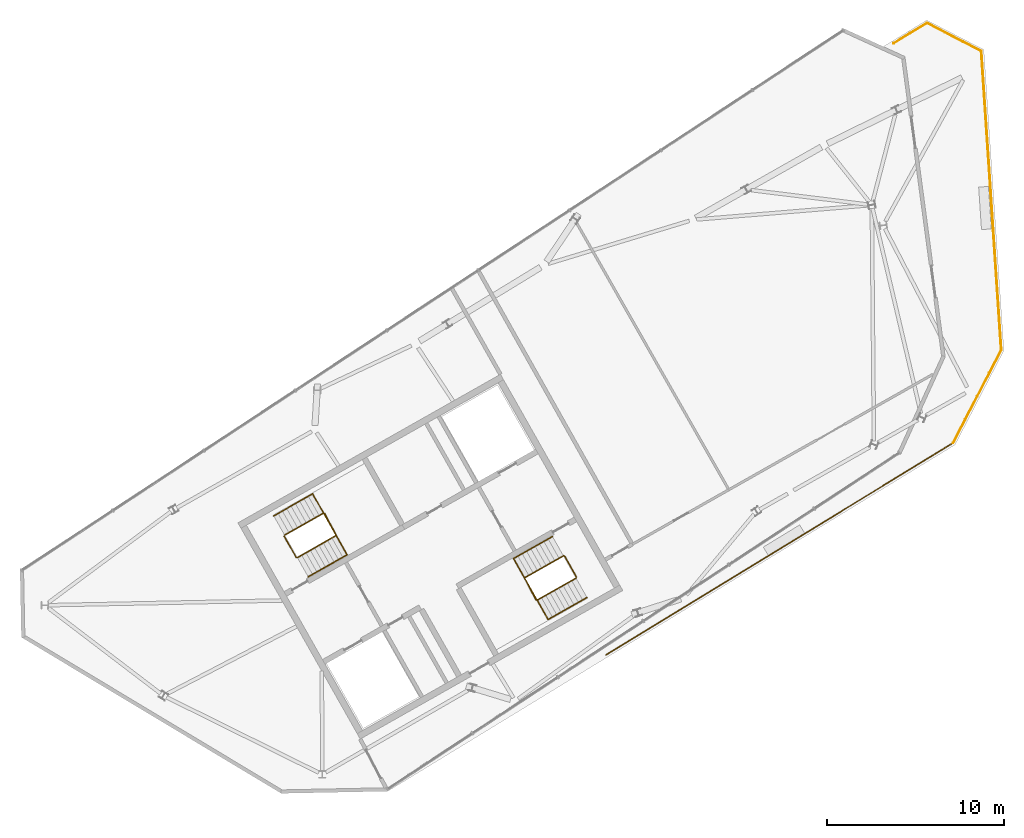
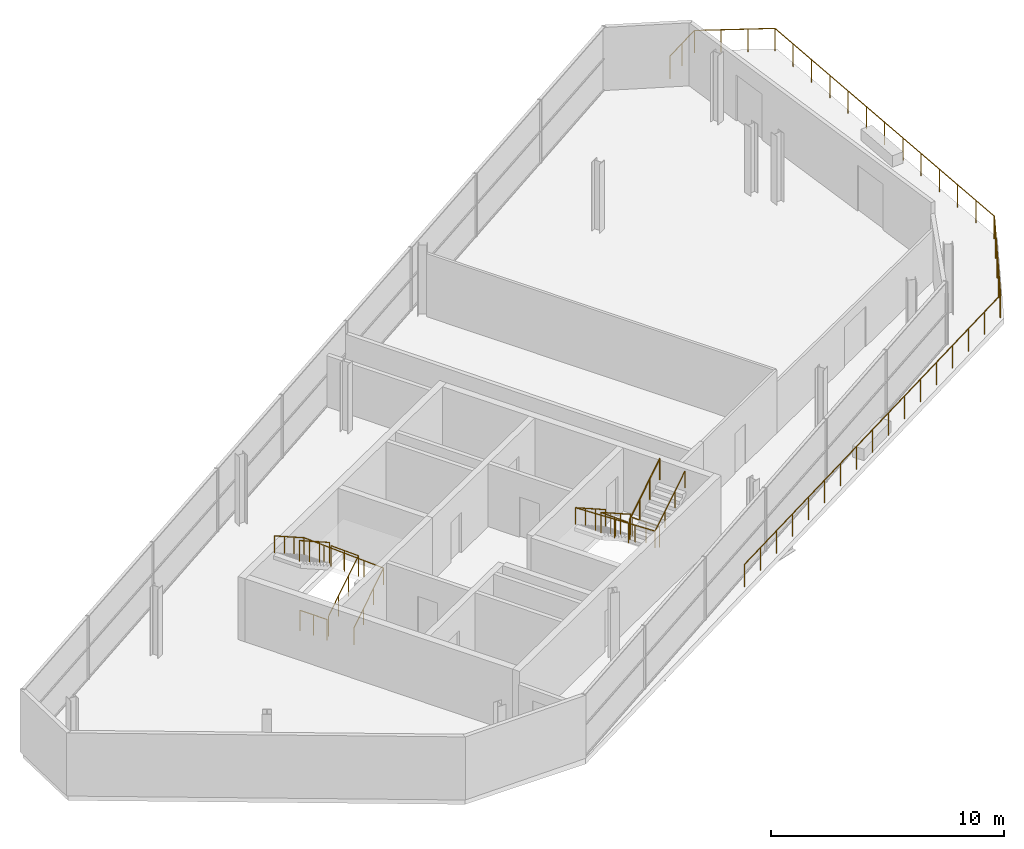
# One storey, part 9 of 10: 12 railings.
"""IFC4 building model written with IfcOpenShell, lengths in metres."""

import ifcopenshell
import ifcopenshell.guid

model = None  # the IFC model being written
_history = None  # IfcOwnerHistory: only IFC2X3 demands one
_inside = {}  # id of a spatial element -> (the spatial element, [elements in it])
_under = {}  # id of a project, library or spatial element -> (it, [spatial elements below it])
_declared = {}  # id of a project -> (the project, [libraries it declares])
_typed = {}  # id of a type object -> (the type object, [elements of that type])
_made_of = {}  # id of a material, layer set ... -> (it, [elements and type objects made of it])


def new_model(schema):
    """Start an empty IFC model of exactly this schema.

    Asked for "IFC4X3", IfcOpenShell would pick the latest addendum, in which some entities
    have other attributes; the version numbers below select the first issue.
    IFC2X3 requires an IfcOwnerHistory on every rooted entity: one is made here for all.
    """
    global model, _history
    if schema == "IFC4X3":
        model = ifcopenshell.file(schema_version=(4, 3, 0, 0))
    else:
        model = ifcopenshell.file(schema=schema)
    _inside.clear()
    _under.clear()
    _declared.clear()
    _typed.clear()
    _made_of.clear()
    _history = None
    if model.schema == "IFC2X3":
        org = make("IfcOrganization", Name="unknown")
        user = make(
            "IfcPersonAndOrganization",
            ThePerson=make("IfcPerson", FamilyName="unknown"),
            TheOrganization=org,
        )
        app = make(
            "IfcApplication",
            ApplicationDeveloper=org,
            Version="unknown",
            ApplicationFullName="unknown",
            ApplicationIdentifier="unknown",
        )
        _history = make(
            "IfcOwnerHistory",
            OwningUser=user,
            OwningApplication=app,
            ChangeAction="ADDED",
            CreationDate=0,
        )
    return model


def make(cls, **values):
    """One entity of the class cls with the attributes given. An attribute that is None is left unset."""
    return model.create_entity(
        cls, **{name: value for name, value in values.items() if value is not None}
    )


def rooted(cls, **values):
    """An entity with a GlobalId (a new one), such as an element, a storey or a relation."""
    return make(cls, GlobalId=ifcopenshell.guid.new(), OwnerHistory=_history, **values)


def si_unit(unit_type, name, prefix=None):
    """IfcSIUnit, for example si_unit("LENGTHUNIT", "METRE", prefix="MILLI")."""
    return make("IfcSIUnit", UnitType=unit_type, Prefix=prefix, Name=name)


def assignment(units):
    """IfcUnitAssignment: the units of a project."""
    return None if units is None else make("IfcUnitAssignment", Units=units)


def point(xyz):
    """IfcCartesianPoint."""
    return None if xyz is None else make("IfcCartesianPoint", Coordinates=xyz)


def direction(xyz):
    """IfcDirection."""
    return None if xyz is None else make("IfcDirection", DirectionRatios=xyz)


def frame(location, z_axis=None, x_axis=None):
    """IfcAxis2Placement3D, a coordinate frame: its origin and axes. An axis left out is left unset."""
    return make(
        "IfcAxis2Placement3D",
        Location=point(location),
        Axis=direction(z_axis),
        RefDirection=direction(x_axis),
    )


def frame_2d(location, x_axis=None):
    """IfcAxis2Placement2D, a coordinate frame in the plane: its origin and x axis."""
    return make(
        "IfcAxis2Placement2D", Location=point(location), RefDirection=direction(x_axis)
    )


def origin():
    """The frame at (0, 0, 0) with its axes left unset."""
    return frame((0.0, 0.0, 0.0))


def origin_2d():
    """The frame at (0, 0) in the plane with its x axis left unset."""
    return frame_2d((0.0, 0.0))


def place(relative_to, where):
    """IfcLocalPlacement: puts the frame where relative to a parent placement (None: the world)."""
    return make(
        "IfcLocalPlacement", PlacementRelTo=relative_to, RelativePlacement=where
    )


def context(
    kind, dimensions, precision=None, world=None, true_north=None, identifier=None
):
    """IfcGeometricRepresentationContext, for example the 3D "Model" context."""
    return make(
        "IfcGeometricRepresentationContext",
        ContextIdentifier=identifier,
        ContextType=kind,
        CoordinateSpaceDimension=dimensions,
        Precision=precision,
        WorldCoordinateSystem=world,
        TrueNorth=true_north,
    )


def subcontext(parent, identifier, kind, view, scale=None):
    """IfcGeometricRepresentationSubContext, for example "Body" below "Model"."""
    return make(
        "IfcGeometricRepresentationSubContext",
        ContextIdentifier=identifier,
        ContextType=kind,
        ParentContext=parent,
        TargetScale=scale,
        TargetView=view,
    )


def project(units=None, contexts=None):
    """IfcProject with its units and contexts."""
    return rooted(
        "IfcProject",
        Name="project",
        RepresentationContexts=contexts,
        UnitsInContext=assignment(units),
    )


def spatial(cls, under=None, at=None, **own):
    """A site, building, storey or space (cls), placed at a placement, below another one or the project."""
    s = rooted(cls, ObjectPlacement=at, **own)
    if under is not None:
        _under.setdefault(under.id(), (under, []))[1].append(s)
    return s


def profile(cls, at=None, kind="AREA", **sizes):
    """A parametric profile (cls). Its sizes go by their IFC names, for example OverallWidth=200.0."""
    return make(cls, ProfileType=kind, Position=at, **sizes)


def circle(**sizes):
    """IfcCircleProfileDef."""
    return profile("IfcCircleProfileDef", **sizes)


def extrude(swept, where, along, depth):
    """IfcExtrudedAreaSolid: the profile swept, set in the frame where, extruded along a direction by depth."""
    return make(
        "IfcExtrudedAreaSolid",
        SweptArea=swept,
        Position=where,
        ExtrudedDirection=direction(along),
        Depth=depth,
    )


def shape(context_of_items, identifier, shape_type, items):
    """IfcShapeRepresentation: the items that make up one representation, for example the "Body"."""
    return make(
        "IfcShapeRepresentation",
        ContextOfItems=context_of_items,
        RepresentationIdentifier=identifier,
        RepresentationType=shape_type,
        Items=items,
    )


def material(Name=None, Category=None):
    """IfcMaterial."""
    return make("IfcMaterial", Name=Name, Category=Category)


def made_of(thing, what):
    """Note that an element or type object is made of a material, layer set ...; save() writes the relation."""
    if what is not None:
        _made_of.setdefault(what.id(), (what, []))[1].append(thing)
    return thing


def type_object(cls, material=None, **own):
    """A type object (cls), such as IfcWallType, which elements share."""
    return made_of(rooted(cls, **own), material)


def element(
    cls,
    number,
    at=None,
    inside=None,
    cuts=None,
    type_object=None,
    material=None,
    context=None,
    identifier="Body",
    shape_type=None,
    held_by="IfcProductDefinitionShape",
    body=None,
    shapes=None,
    **own,
):
    """One element of the class cls, such as IfcWall. Its Tag is "e" and its number.

    at: its placement. inside: the storey or other place that contains it. cuts: it is an
    opening in that element (IfcRelVoidsElement). A single representation is given by context,
    identifier, shape_type and body (its items); several are given by shapes. held_by: the class
    of the entity that holds the representations. save() writes the other relations.
    """
    e = rooted(cls, Tag="e%d" % number, ObjectPlacement=at, **own)
    if body is not None:
        shapes = [shape(context, identifier, shape_type, body)]
    if shapes is not None:
        e.Representation = make(held_by, Representations=shapes)
    if inside is not None:
        _inside.setdefault(inside.id(), (inside, []))[1].append(e)
    if cuts is not None:
        rooted(
            "IfcRelVoidsElement", RelatingBuildingElement=cuts, RelatedOpeningElement=e
        )
    if type_object is not None:
        _typed.setdefault(type_object.id(), (type_object, []))[1].append(e)
    return made_of(e, material)


def aggregate(whole, parts):
    """IfcRelAggregates: a whole, such as a stair, and the parts it consists of."""
    return rooted("IfcRelAggregates", RelatingObject=whole, RelatedObjects=parts)


def save(model, path):
    """Write the relations noted so far, then the file.

    IfcRelAggregates (storeys below a building ...), IfcRelContainedInSpatialStructure (elements
    in a storey), IfcRelDefinesByType, IfcRelAssociatesMaterial and IfcRelDeclares: one each for
    every whole, place, type object, material and project.
    """
    for whole, parts in _under.values():
        aggregate(whole, parts)
    for where, things in _inside.values():
        rooted(
            "IfcRelContainedInSpatialStructure",
            RelatedElements=things,
            RelatingStructure=where,
        )
    for kind, things in _typed.values():
        rooted("IfcRelDefinesByType", RelatedObjects=things, RelatingType=kind)
    for what, things in _made_of.values():
        rooted("IfcRelAssociatesMaterial", RelatedObjects=things, RelatingMaterial=what)
    for by, libraries in _declared.values():
        rooted("IfcRelDeclares", RelatingContext=by, RelatedDefinitions=libraries)
    model.write(path)


model = new_model("IFC4")

# Units and contexts
model_context = context("Model", 3, precision=1e-05, world=origin(), true_north=direction((0.0, 1.0)))
body_context = subcontext(model_context, "Body", "Model", "MODEL_VIEW")
ifc_project = project(units=[si_unit("LENGTHUNIT", "METRE"), si_unit("AREAUNIT", "SQUARE_METRE"), si_unit("VOLUMEUNIT", "CUBIC_METRE"), si_unit("PLANEANGLEUNIT", "RADIAN"), si_unit("MASSUNIT", "GRAM", prefix="KILO")], contexts=[model_context])

# Site, building, storey
site_placement = place(None, origin())
site = spatial("IfcSite", under=ifc_project, at=site_placement, CompositionType="ELEMENT")
building_placement = place(site_placement, origin())
building = spatial("IfcBuilding", under=site, at=building_placement, Name="Binnacle Exchange Tower", CompositionType="ELEMENT")
storey_placement = place(building_placement, frame((0.0, 0.0, 354.10009765625)))
storey = spatial("IfcBuildingStorey", under=building, at=storey_placement, Name="L81", CompositionType="ELEMENT", Elevation=354.10009765625)

# Railings
ifc_material_1 = material(Name="Bronze anodised aluminium frame", Category="aluminium")
railing_type_1 = type_object("IfcRailingType", Name="GUARD 1200", PredefinedType="GUARDRAIL", material=ifc_material_1)
railing_1_placement = place(storey_placement, frame((-25.857421875, 34.232177734375, 0.0)))
element("IfcRailing", 1, at=railing_1_placement, inside=storey, type_object=railing_type_1, Name="Terrace guard 1 Terrace C2", PredefinedType="GUARDRAIL", context=body_context, shape_type="SweptSolid", body=[
    extrude(circle(Radius=0.02392578125, at=origin_2d()), frame((0.0, 0.0, 1.17578125), z_axis=(0.853461642811, 0.521155662206, 0.0), x_axis=(-0.521155662206, 0.853461642811, 0.0)), (0.0, 0.0, 1.0), 22.9169921875),
    extrude(circle(Radius=0.02099609375, at=origin_2d()), origin(), (0.0, 0.0, 1.0), 1.15185546875),
    extrude(circle(Radius=0.02099609375, at=origin_2d()), frame((1.222412109375, 0.74658203125, 0.0)), (0.0, 0.0, 1.0), 1.15185546875),
    extrude(circle(Radius=0.02099609375, at=origin_2d()), frame((2.44482421875, 1.492919921875, 0.0)), (0.0, 0.0, 1.0), 1.15185546875),
    extrude(circle(Radius=0.02099609375, at=origin_2d()), frame((3.667236328125, 2.2392578125, 0.0)), (0.0, 0.0, 1.0), 1.15185546875),
    extrude(circle(Radius=0.02099609375, at=origin_2d()), frame((4.8896484375, 2.98583984375, 0.0)), (0.0, 0.0, 1.0), 1.15185546875),
    extrude(circle(Radius=0.02099609375, at=origin_2d()), frame((6.112060546875, 3.732421875, 0.0)), (0.0, 0.0, 1.0), 1.15185546875),
    extrude(circle(Radius=0.02099609375, at=origin_2d()), frame((7.33447265625, 4.478759765625, 0.0)), (0.0, 0.0, 1.0), 1.15185546875),
    extrude(circle(Radius=0.02099609375, at=origin_2d()), frame((8.556884765625, 5.22509765625, 0.0)), (0.0, 0.0, 1.0), 1.15185546875),
    extrude(circle(Radius=0.02099609375, at=origin_2d()), frame((9.779296875, 5.9716796875, 0.0)), (0.0, 0.0, 1.0), 1.15185546875),
    extrude(circle(Radius=0.02099609375, at=origin_2d()), frame((11.001953125, 6.71826171875, 0.0)), (0.0, 0.0, 1.0), 1.15185546875),
    extrude(circle(Radius=0.02099609375, at=origin_2d()), frame((12.224365234375, 7.464599609375, 0.0)), (0.0, 0.0, 1.0), 1.15185546875),
    extrude(circle(Radius=0.02099609375, at=origin_2d()), frame((13.44677734375, 8.2109375, 0.0)), (0.0, 0.0, 1.0), 1.15185546875),
    extrude(circle(Radius=0.02099609375, at=origin_2d()), frame((14.669189453125, 8.95751953125, 0.0)), (0.0, 0.0, 1.0), 1.15185546875),
    extrude(circle(Radius=0.02099609375, at=origin_2d()), frame((15.8916015625, 9.7041015625, 0.0)), (0.0, 0.0, 1.0), 1.15185546875),
    extrude(circle(Radius=0.02099609375, at=origin_2d()), frame((17.114013671875, 10.450439453125, 0.0)), (0.0, 0.0, 1.0), 1.15185546875),
    extrude(circle(Radius=0.02099609375, at=origin_2d()), frame((18.33642578125, 11.19677734375, 0.0)), (0.0, 0.0, 1.0), 1.15185546875),
    extrude(circle(Radius=0.02099609375, at=origin_2d()), frame((19.558837890625, 11.943359375, 0.0)), (0.0, 0.0, 1.0), 1.15185546875),
])
railing_2_placement = place(storey_placement, frame((-6.298583984375, 46.175537109375, 0.0)))
element("IfcRailing", 2, at=railing_2_placement, inside=storey, type_object=railing_type_1, Name="Terrace guard 2 Terrace C2", PredefinedType="GUARDRAIL", context=body_context, shape_type="SweptSolid", body=[
    extrude(circle(Radius=0.02392578125, at=origin_2d()), frame((0.0, 0.0, 1.17578125), z_axis=(0.459954986798, 0.887942233549, 0.0), x_axis=(-0.887942233549, 0.459954986798, 0.0)), (0.0, 0.0, 1.0), 5.903564453125),
    extrude(circle(Radius=0.02099609375, at=origin_2d()), origin(), (0.0, 0.0, 1.0), 1.15185546875),
    extrude(circle(Radius=0.02099609375, at=origin_2d()), frame((0.6787109375, 1.310546875, 0.0)), (0.0, 0.0, 1.0), 1.15185546875),
    extrude(circle(Radius=0.02099609375, at=origin_2d()), frame((1.357666015625, 2.62109375, 0.0)), (0.0, 0.0, 1.0), 1.15185546875),
    extrude(circle(Radius=0.02099609375, at=origin_2d()), frame((2.03662109375, 3.931396484375, 0.0)), (0.0, 0.0, 1.0), 1.15185546875),
    extrude(circle(Radius=0.02099609375, at=origin_2d()), frame((2.71533203125, 5.241943359375, 0.0)), (0.0, 0.0, 1.0), 1.15185546875),
])
railing_3_placement = place(storey_placement, frame((-3.583251953125, 51.41748046875, 0.0)))
element("IfcRailing", 3, at=railing_3_placement, inside=storey, type_object=railing_type_1, Name="Terrace guard 3 Terrace C2", PredefinedType="GUARDRAIL", context=body_context, shape_type="SweptSolid", body=[
    extrude(circle(Radius=0.02392578125, at=origin_2d()), frame((0.0, 0.0, 1.17578125), z_axis=(-0.066615043066, 0.997778751045, 0.0), x_axis=(-0.997778751045, -0.066615043066, 0.0)), (0.0, 0.0, 1.0), 16.87353515625),
    extrude(circle(Radius=0.02099609375, at=origin_2d()), origin(), (0.0, 0.0, 1.0), 1.15185546875),
    extrude(circle(Radius=0.02099609375, at=origin_2d()), frame((-0.09375, 1.403076171875, 0.0)), (0.0, 0.0, 1.0), 1.15185546875),
    extrude(circle(Radius=0.02099609375, at=origin_2d()), frame((-0.187255859375, 2.805908203125, 0.0)), (0.0, 0.0, 1.0), 1.15185546875),
    extrude(circle(Radius=0.02099609375, at=origin_2d()), frame((-0.281005859375, 4.208984375, 0.0)), (0.0, 0.0, 1.0), 1.15185546875),
    extrude(circle(Radius=0.02099609375, at=origin_2d()), frame((-0.374755859375, 5.612060546875, 0.0)), (0.0, 0.0, 1.0), 1.15185546875),
    extrude(circle(Radius=0.02099609375, at=origin_2d()), frame((-0.46826171875, 7.014892578125, 0.0)), (0.0, 0.0, 1.0), 1.15185546875),
    extrude(circle(Radius=0.02099609375, at=origin_2d()), frame((-0.56201171875, 8.41796875, 0.0)), (0.0, 0.0, 1.0), 1.15185546875),
    extrude(circle(Radius=0.02099609375, at=origin_2d()), frame((-0.65576171875, 9.821044921875, 0.0)), (0.0, 0.0, 1.0), 1.15185546875),
    extrude(circle(Radius=0.02099609375, at=origin_2d()), frame((-0.749267578125, 11.223876953125, 0.0)), (0.0, 0.0, 1.0), 1.15185546875),
    extrude(circle(Radius=0.02099609375, at=origin_2d()), frame((-0.843017578125, 12.626953125, 0.0)), (0.0, 0.0, 1.0), 1.15185546875),
    extrude(circle(Radius=0.02099609375, at=origin_2d()), frame((-0.936767578125, 14.030029296875, 0.0)), (0.0, 0.0, 1.0), 1.15185546875),
    extrude(circle(Radius=0.02099609375, at=origin_2d()), frame((-1.0302734375, 15.432861328125, 0.0)), (0.0, 0.0, 1.0), 1.15185546875),
    extrude(circle(Radius=0.02099609375, at=origin_2d()), frame((-1.1240234375, 16.8359375, 0.0)), (0.0, 0.0, 1.0), 1.15185546875),
])
railing_4_placement = place(storey_placement, frame((-4.707275390625, 68.25341796875, 0.0)))
element("IfcRailing", 4, at=railing_4_placement, inside=storey, type_object=railing_type_1, Name="Terrace guard 4 Terrace C2", PredefinedType="GUARDRAIL", context=body_context, shape_type="SweptSolid", body=[
    extrude(circle(Radius=0.02392578125, at=origin_2d()), frame((0.0, 0.0, 1.17578125), z_axis=(-0.887924380167, 0.45998945108, 0.0), x_axis=(-0.45998945108, -0.887924380167, 0.0)), (0.0, 0.0, 1.0), 3.457763671875),
    extrude(circle(Radius=0.02392578125, at=origin_2d()), frame((-3.0703125, 1.590576171875, 1.17578125), z_axis=(-0.853447382873, -0.521179014031, 0.0), x_axis=(0.521179014031, -0.853447382873, 0.0)), (0.0, 0.0, 1.0), 2.186767578125),
    extrude(circle(Radius=0.02099609375, at=origin_2d()), origin(), (0.0, 0.0, 1.0), 1.15185546875),
    extrude(circle(Radius=0.02099609375, at=origin_2d()), frame((-1.0234375, 0.5302734375, 0.0)), (0.0, 0.0, 1.0), 1.15185546875),
    extrude(circle(Radius=0.02099609375, at=origin_2d()), frame((-2.046875, 1.060302734375, 0.0)), (0.0, 0.0, 1.0), 1.15185546875),
    extrude(circle(Radius=0.02099609375, at=origin_2d()), frame((-3.0703125, 1.590576171875, 0.0)), (0.0, 0.0, 1.0), 1.15185546875),
    extrude(circle(Radius=0.02099609375, at=origin_2d()), frame((-4.00341796875, 1.020751953125, 0.0)), (0.0, 0.0, 1.0), 1.15185546875),
    extrude(circle(Radius=0.02099609375, at=origin_2d()), frame((-4.9365234375, 0.450927734375, 0.0)), (0.0, 0.0, 1.0), 1.15185546875),
])
ifc_material_2 = material(Name="Steel guard rail", Category="steel")
railing_type_2 = type_object("IfcRailingType", Name="STAIR GUARD 1100", PredefinedType="GUARDRAIL", material=ifc_material_2)
railing_5_placement = place(storey_placement, frame((-43.26171875, 39.71728515625, 0.179931640625)))
element("IfcRailing", 5, at=railing_5_placement, inside=storey, type_object=railing_type_2, Name="L81 STA1 stair guard 1", PredefinedType="GUARDRAIL", context=body_context, shape_type="SweptSolid", body=[
    extrude(circle(Radius=0.02392578125, at=origin_2d()), frame((0.0, 0.0, 1.076171875), z_axis=(0.73214499886, 0.414235644391, 0.540714833864), x_axis=(-0.492430705092, 0.870351653461, 0.0)), (0.0, 0.0, 1.0), 2.995849609375),
    extrude(circle(Radius=0.02392578125, at=origin_2d()), frame((2.193359375, 1.240966796875, 2.69580078125), z_axis=(-0.461100321709, 0.887348011391, 0.0), x_axis=(-0.887348011391, -0.461100321709, 0.0)), (0.0, 0.0, 1.0), 1.40087890625),
    extrude(circle(Radius=0.02099609375, at=origin_2d()), origin(), (0.0, 0.0, 1.0), 1.052001953125),
    extrude(circle(Radius=0.02099609375, at=origin_2d()), frame((0.731201171875, 0.41357421875, 0.5400390625)), (0.0, 0.0, 1.0), 1.052001953125),
    extrude(circle(Radius=0.02099609375, at=origin_2d()), frame((1.462158203125, 0.827392578125, 1.079833984375)), (0.0, 0.0, 1.0), 1.052001953125),
    extrude(circle(Radius=0.02099609375, at=origin_2d()), frame((2.193359375, 1.240966796875, 1.619873046875)), (0.0, 0.0, 1.0), 1.052001953125),
    extrude(circle(Radius=0.02099609375, at=origin_2d()), frame((1.870361328125, 1.862548828125, 1.619873046875)), (0.0, 0.0, 1.0), 1.052001953125),
    extrude(circle(Radius=0.02099609375, at=origin_2d()), frame((1.54736328125, 2.484130859375, 1.619873046875)), (0.0, 0.0, 1.0), 1.052001953125),
])
railing_6_placement = place(storey_placement, frame((-41.782470703125, 42.22021484375, 1.97998046875)))
element("IfcRailing", 6, at=railing_6_placement, inside=storey, type_object=railing_type_2, Name="L81 STA1 stair guard 2", PredefinedType="GUARDRAIL", context=body_context, shape_type="SweptSolid", body=[
    extrude(circle(Radius=0.02392578125, at=origin_2d()), frame((0.0, 0.0, 1.076171875), z_axis=(-0.73214499886, -0.414235644391, 0.540714833864), x_axis=(0.492430705092, -0.870351653461, 0.0)), (0.0, 0.0, 1.0), 2.995849609375),
    extrude(circle(Radius=0.02099609375, at=origin_2d()), origin(), (0.0, 0.0, 1.0), 1.052001953125),
    extrude(circle(Radius=0.02099609375, at=origin_2d()), frame((-0.731201171875, -0.41357421875, 0.5400390625)), (0.0, 0.0, 1.0), 1.052001953125),
    extrude(circle(Radius=0.02099609375, at=origin_2d()), frame((-1.462158203125, -0.827392578125, 1.079833984375)), (0.0, 0.0, 1.0), 1.052001953125),
    extrude(circle(Radius=0.02099609375, at=origin_2d()), frame((-2.193359375, -1.240966796875, 1.619873046875)), (0.0, 0.0, 1.0), 1.052001953125),
])
railing_7_placement = place(storey_placement, frame((-43.329833984375, 39.736328125, 0.0)))
element("IfcRailing", 7, at=railing_7_placement, inside=storey, type_object=railing_type_2, Name="L81 STA1 stair guard 3", PredefinedType="GUARDRAIL", context=body_context, shape_type="SweptSolid", body=[
    extrude(circle(Radius=0.02392578125, at=origin_2d()), frame((0.0, 0.0, 1.076171875), z_axis=(-0.4924922531, 0.870316827734, 0.0), x_axis=(-0.870316827734, -0.4924922531, 0.0)), (0.0, 0.0, 1.0), 1.349853515625),
    extrude(circle(Radius=0.02099609375, at=origin_2d()), origin(), (0.0, 0.0, 1.0), 1.052001953125),
    extrude(circle(Radius=0.02099609375, at=origin_2d()), frame((-0.33251953125, 0.58740234375, 0.0)), (0.0, 0.0, 1.0), 1.052001953125),
    extrude(circle(Radius=0.02099609375, at=origin_2d()), frame((-0.664794921875, 1.1748046875, 0.0)), (0.0, 0.0, 1.0), 1.052001953125),
])
railing_8_placement = place(storey_placement, frame((-28.265380859375, 39.814453125, 0.179931640625)))
element("IfcRailing", 8, at=railing_8_placement, inside=storey, type_object=railing_type_2, Name="L81 STA2 stair guard 1", PredefinedType="GUARDRAIL", context=body_context, shape_type="SweptSolid", body=[
    extrude(circle(Radius=0.02392578125, at=origin_2d()), frame((0.0, 0.0, 1.076171875), z_axis=(-0.73214499886, -0.414235644391, 0.540714833864), x_axis=(0.492430705092, -0.870351653461, 0.0)), (0.0, 0.0, 1.0), 2.995849609375),
    extrude(circle(Radius=0.02392578125, at=origin_2d()), frame((-2.193359375, -1.240966796875, 2.69580078125), z_axis=(0.461100321709, -0.887348011391, 0.0), x_axis=(0.887348011391, 0.461100321709, 0.0)), (0.0, 0.0, 1.0), 1.40087890625),
    extrude(circle(Radius=0.02099609375, at=origin_2d()), origin(), (0.0, 0.0, 1.0), 1.052001953125),
    extrude(circle(Radius=0.02099609375, at=origin_2d()), frame((-0.731201171875, -0.41357421875, 0.5400390625)), (0.0, 0.0, 1.0), 1.052001953125),
    extrude(circle(Radius=0.02099609375, at=origin_2d()), frame((-1.462158203125, -0.827392578125, 1.079833984375)), (0.0, 0.0, 1.0), 1.052001953125),
    extrude(circle(Radius=0.02099609375, at=origin_2d()), frame((-2.193359375, -1.240966796875, 1.619873046875)), (0.0, 0.0, 1.0), 1.052001953125),
    extrude(circle(Radius=0.02099609375, at=origin_2d()), frame((-1.870361328125, -1.862548828125, 1.619873046875)), (0.0, 0.0, 1.0), 1.052001953125),
    extrude(circle(Radius=0.02099609375, at=origin_2d()), frame((-1.54736328125, -2.484130859375, 1.619873046875)), (0.0, 0.0, 1.0), 1.052001953125),
])
railing_9_placement = place(storey_placement, frame((-29.74462890625, 37.3115234375, 1.97998046875)))
element("IfcRailing", 9, at=railing_9_placement, inside=storey, type_object=railing_type_2, Name="L81 STA2 stair guard 2", PredefinedType="GUARDRAIL", context=body_context, shape_type="SweptSolid", body=[
    extrude(circle(Radius=0.02392578125, at=origin_2d()), frame((0.0, 0.0, 1.076171875), z_axis=(0.732107185068, 0.414260360871, 0.540747097064), x_axis=(-0.492472228755, 0.870328158746, 0.0)), (0.0, 0.0, 1.0), 2.99560546875),
    extrude(circle(Radius=0.02099609375, at=origin_2d()), origin(), (0.0, 0.0, 1.0), 1.052001953125),
    extrude(circle(Radius=0.02099609375, at=origin_2d()), frame((0.73095703125, 0.41357421875, 0.5400390625)), (0.0, 0.0, 1.0), 1.052001953125),
    extrude(circle(Radius=0.02099609375, at=origin_2d()), frame((1.462158203125, 0.827392578125, 1.079833984375)), (0.0, 0.0, 1.0), 1.052001953125),
    extrude(circle(Radius=0.02099609375, at=origin_2d()), frame((2.193115234375, 1.240966796875, 1.619873046875)), (0.0, 0.0, 1.0), 1.052001953125),
])
railing_10_placement = place(storey_placement, frame((-28.197265625, 39.795654296875, 0.0)))
element("IfcRailing", 10, at=railing_10_placement, inside=storey, type_object=railing_type_2, Name="L81 STA2 stair guard 3", PredefinedType="GUARDRAIL", context=body_context, shape_type="SweptSolid", body=[
    extrude(circle(Radius=0.02392578125, at=origin_2d()), frame((0.0, 0.0, 1.076171875), z_axis=(0.49241474071, -0.870360685654, 0.0), x_axis=(0.870360685654, 0.49241474071, 0.0)), (0.0, 0.0, 1.0), 1.35009765625),
    extrude(circle(Radius=0.02099609375, at=origin_2d()), origin(), (0.0, 0.0, 1.0), 1.052001953125),
    extrude(circle(Radius=0.02099609375, at=origin_2d()), frame((0.33251953125, -0.58740234375, 0.0)), (0.0, 0.0, 1.0), 1.052001953125),
    extrude(circle(Radius=0.02099609375, at=origin_2d()), frame((0.664794921875, -1.175048828125, 0.0)), (0.0, 0.0, 1.0), 1.052001953125),
])
ifc_material_3 = material(Name="Steel handrail", Category="steel")
railing_type_3 = type_object("IfcRailingType", Name="STAIR HANDRAIL 900", PredefinedType="HANDRAIL", material=ifc_material_3)
railing_11_placement = place(storey_placement, frame((-42.646240234375, 38.62939453125, 0.179931640625)))
element("IfcRailing", 11, at=railing_11_placement, inside=storey, type_object=railing_type_3, Name="L81 STA1 stair handrail 1", PredefinedType="HANDRAIL", context=body_context, shape_type="SweptSolid", body=[
    extrude(circle(Radius=0.02392578125, at=origin_2d()), frame((0.0, 0.0, 0.8759765625), z_axis=(0.73214499886, 0.414235644391, 0.540714833864), x_axis=(-0.492430705092, 0.870351653461, 0.0)), (0.0, 0.0, 1.0), 2.995849609375),
    extrude(circle(Radius=0.02392578125, at=origin_2d()), frame((2.193359375, 1.240966796875, 2.49560546875), z_axis=(-0.49192857611, 0.869442234243, 0.045568380717), x_axis=(-0.87034633103, -0.492440112159, 0.0)), (0.0, 0.0, 1.0), 3.953857421875),
    extrude(circle(Radius=0.02392578125, at=origin_2d()), frame((0.248291015625, 4.6787109375, 2.67578125), z_axis=(-0.732169713324, -0.414168130355, 0.540733086365), x_axis=(0.492357313618, -0.87039317307, 0.0)), (0.0, 0.0, 1.0), 2.99560546875),
    extrude(circle(Radius=0.02099609375, at=origin_2d()), origin(), (0.0, 0.0, 1.0), 0.851806640625),
    extrude(circle(Radius=0.02099609375, at=origin_2d()), frame((0.731201171875, 0.41357421875, 0.5400390625)), (0.0, 0.0, 1.0), 0.851806640625),
    extrude(circle(Radius=0.02099609375, at=origin_2d()), frame((1.462158203125, 0.827392578125, 1.079833984375)), (0.0, 0.0, 1.0), 0.851806640625),
    extrude(circle(Radius=0.02099609375, at=origin_2d()), frame((2.193359375, 1.240966796875, 1.619873046875)), (0.0, 0.0, 1.0), 0.851806640625),
    extrude(circle(Radius=0.02099609375, at=origin_2d()), frame((1.70703125, 2.100341796875, 1.6650390625)), (0.0, 0.0, 1.0), 0.851806640625),
    extrude(circle(Radius=0.02099609375, at=origin_2d()), frame((1.220703125, 2.9599609375, 1.7099609375)), (0.0, 0.0, 1.0), 0.851806640625),
    extrude(circle(Radius=0.02099609375, at=origin_2d()), frame((0.734619140625, 3.8193359375, 1.7548828125)), (0.0, 0.0, 1.0), 0.851806640625),
    extrude(circle(Radius=0.02099609375, at=origin_2d()), frame((0.248291015625, 4.6787109375, 1.800048828125)), (0.0, 0.0, 1.0), 0.851806640625),
    extrude(circle(Radius=0.02099609375, at=origin_2d()), frame((-0.48291015625, 4.26513671875, 2.340087890625)), (0.0, 0.0, 1.0), 0.851806640625),
    extrude(circle(Radius=0.02099609375, at=origin_2d()), frame((-1.2138671875, 3.8515625, 2.8798828125)), (0.0, 0.0, 1.0), 0.851806640625),
    extrude(circle(Radius=0.02099609375, at=origin_2d()), frame((-1.945068359375, 3.43798828125, 3.419921875)), (0.0, 0.0, 1.0), 0.851806640625),
])
railing_12_placement = place(storey_placement, frame((-28.880859375, 40.90234375, 0.179931640625)))
element("IfcRailing", 12, at=railing_12_placement, inside=storey, type_object=railing_type_3, Name="L81 STA2 stair handrail 1", PredefinedType="HANDRAIL", context=body_context, shape_type="SweptSolid", body=[
    extrude(circle(Radius=0.02392578125, at=origin_2d()), frame((0.0, 0.0, 0.8759765625), z_axis=(-0.732169713324, -0.414168130355, 0.540733086365), x_axis=(0.492357313618, -0.87039317307, 0.0)), (0.0, 0.0, 1.0), 2.99560546875),
    extrude(circle(Radius=0.02392578125, at=origin_2d()), frame((-2.193359375, -1.24072265625, 2.49560546875), z_axis=(0.491902168417, -0.869457303332, 0.045565934516), x_axis=(0.870361318571, 0.492413622004, 0.0)), (0.0, 0.0, 1.0), 3.9541015625),
    extrude(circle(Radius=0.02392578125, at=origin_2d()), frame((-0.248291015625, -4.6787109375, 2.67578125), z_axis=(0.73214499886, 0.414235644391, 0.540714833864), x_axis=(-0.492430705092, 0.870351653461, 0.0)), (0.0, 0.0, 1.0), 2.995849609375),
    extrude(circle(Radius=0.02099609375, at=origin_2d()), origin(), (0.0, 0.0, 1.0), 0.851806640625),
    extrude(circle(Radius=0.02099609375, at=origin_2d()), frame((-0.731201171875, -0.41357421875, 0.5400390625)), (0.0, 0.0, 1.0), 0.851806640625),
    extrude(circle(Radius=0.02099609375, at=origin_2d()), frame((-1.462158203125, -0.8271484375, 1.079833984375)), (0.0, 0.0, 1.0), 0.851806640625),
    extrude(circle(Radius=0.02099609375, at=origin_2d()), frame((-2.193359375, -1.24072265625, 1.619873046875)), (0.0, 0.0, 1.0), 0.851806640625),
    extrude(circle(Radius=0.02099609375, at=origin_2d()), frame((-1.70703125, -2.10009765625, 1.6650390625)), (0.0, 0.0, 1.0), 0.851806640625),
    extrude(circle(Radius=0.02099609375, at=origin_2d()), frame((-1.220703125, -2.959716796875, 1.7099609375)), (0.0, 0.0, 1.0), 0.851806640625),
    extrude(circle(Radius=0.02099609375, at=origin_2d()), frame((-0.734619140625, -3.8193359375, 1.7548828125)), (0.0, 0.0, 1.0), 0.851806640625),
    extrude(circle(Radius=0.02099609375, at=origin_2d()), frame((-0.248291015625, -4.6787109375, 1.800048828125)), (0.0, 0.0, 1.0), 0.851806640625),
    extrude(circle(Radius=0.02099609375, at=origin_2d()), frame((0.48291015625, -4.26513671875, 2.340087890625)), (0.0, 0.0, 1.0), 0.851806640625),
    extrude(circle(Radius=0.02099609375, at=origin_2d()), frame((1.2138671875, -3.851318359375, 2.8798828125)), (0.0, 0.0, 1.0), 0.851806640625),
    extrude(circle(Radius=0.02099609375, at=origin_2d()), frame((1.945068359375, -3.437744140625, 3.419921875)), (0.0, 0.0, 1.0), 0.851806640625),
])

save(model, "model.ifc")
